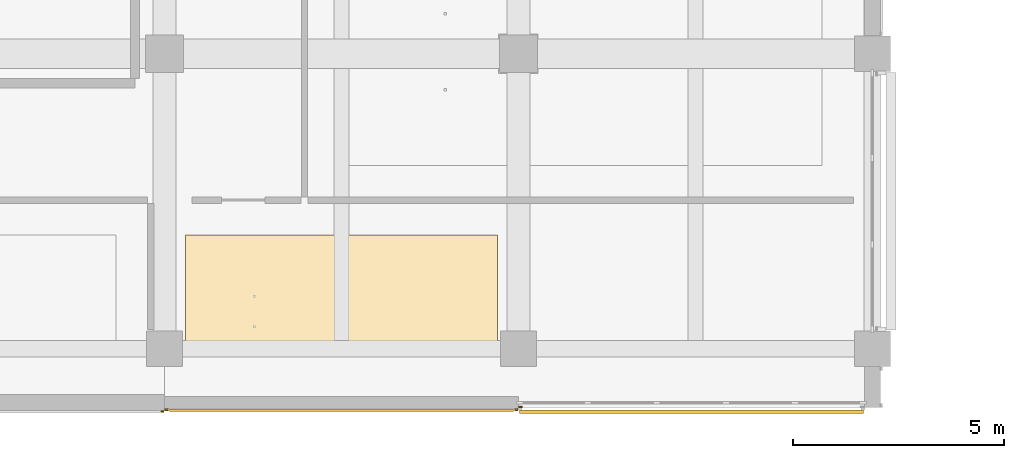
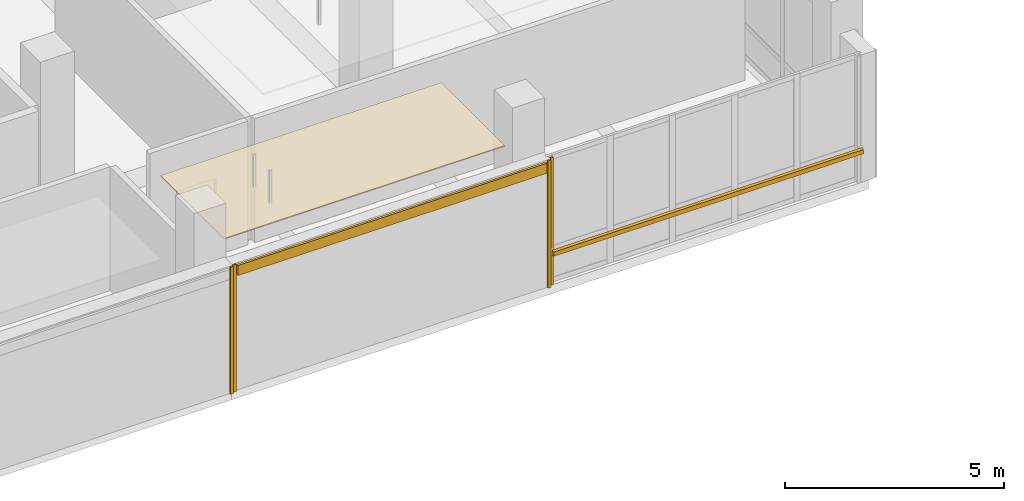
# One storey, part 36 of 39: 6 coverings, 1 shading device.
"""IFC4 building model written with IfcOpenShell, lengths in metres."""

from ifc_helpers import new_model, si_unit, direction, frame, origin, origin_2d, place, context, subcontext, project, spatial, polyline, rectangle, outline, extrude, material, layer, layer_set, type_object, element, save


model = new_model("IFC4")

# Units and contexts
model_context = context("Model", 3, precision=1e-05, world=origin(), true_north=direction((0.0, 1.0)))
body_context = subcontext(model_context, "Body", "Model", "MODEL_VIEW")
ifc_project = project(units=[si_unit("LENGTHUNIT", "METRE"), si_unit("AREAUNIT", "SQUARE_METRE"), si_unit("VOLUMEUNIT", "CUBIC_METRE"), si_unit("PLANEANGLEUNIT", "RADIAN"), si_unit("MASSUNIT", "GRAM", prefix="KILO")], contexts=[model_context])

# Site, building, storey
site_placement = place(None, origin())
site = spatial("IfcSite", under=ifc_project, at=site_placement, CompositionType="ELEMENT")
building_placement = place(site_placement, origin())
building = spatial("IfcBuilding", under=site, at=building_placement, Name="Telukmera Botanical Conservatory", CompositionType="ELEMENT")
storey_placement = place(building_placement, frame((0.0, 0.0, 19.5)))
storey = spatial("IfcBuildingStorey", under=building, at=storey_placement, Name="L04", CompositionType="ELEMENT", Elevation=19.5)

# Coverings
ifc_material_1 = material(Name="Mineral fibre acoustic ceiling")
ifc_layer_1 = layer(ifc_material_1, 0.030029296875)
ifc_layer_set_1 = layer_set([ifc_layer_1], Name="Mineral fibre acoustic ceiling")
covering_type_1 = type_object("IfcCoveringType", Name="COV-CEIL-30", PredefinedType="CEILING", material=ifc_layer_set_1)
covering_1_placement = place(storey_placement, frame((0.0, 0.0, 3.320068359375)))
element("IfcCovering", 1, at=covering_1_placement, inside=storey, type_object=covering_type_1, Name="L04 Botanical Taxonomy Studio Suspended Acoustic Ceiling", PredefinedType="CEILING", context=body_context, shape_type="SweptSolid", body=[
    extrude(outline(polyline([(92.89990234375, 10.39990234375), (100.304931640625, 10.39990234375), (100.304931640625, 13.300048828125), (92.89990234375, 13.300048828125), (92.89990234375, 10.39990234375)])), origin(), (0.0, 0.0, 1.0), 0.030029296875),
])
ifc_material_2 = material(Name="Granite-faced precast concrete C40/50", Category="masonry")
ifc_layer_2 = layer(ifc_material_2, 0.0400390625)
ifc_layer_set_2 = layer_set([ifc_layer_2], Name="Granite-faced precast concrete C40/50")
covering_type_2 = type_object("IfcCoveringType", Name="Granite Precast Column Pier Reveal Casing", PredefinedType="CLADDING", material=ifc_layer_set_2)
for number, where, z_axis, x_axis, name in (
    (2, (92.347900390625, 9.110107421875, 0.0), (0.0, 0.0, 1.0), (1.0, 0.0, 0.0), "Granite Pier Reveal V4:L04:S5 R"),
    (3, (92.451904296875, 9.14990234375, 0.0), (0.0, 0.0, 1.0), (1.0, 0.0, 0.0), "Granite Pier Reveal V4:L04:S6 L"),
    (4, (100.748046875, 9.14990234375, 0.0), (0.0, 0.0, 1.0), (1.0, 0.0, 0.0), "Granite Pier Reveal V4:L04:S6 R"),
    (5, (100.85205078125, 9.219970703125, 0.0), (0.0, 0.0, 1.0), (1.0, 0.0, 0.0), "Granite Pier Reveal V4:L04:S7 L"),
):
    element("IfcCovering", number, at=place(storey_placement, frame(where, z_axis=z_axis, x_axis=x_axis)), inside=storey, type_object=covering_type_2, Name=name, PredefinedType="CLADDING", context=body_context, shape_type="SweptSolid", body=[
        extrude(rectangle(XDim=0.080078125, YDim=0.0400390625, at=origin_2d()), origin(), (0.0, 0.0, 1.0), 3.550048828125),
    ])

# Shading device
ifc_material_3 = material(Name="Perforated terracotta-anodised aluminium 6063-T6", Category="masonry")
ifc_layer_3 = layer(ifc_material_3, 0.044921875)
ifc_layer_set_3 = layer_set([ifc_layer_3], Name="Perforated terracotta-anodised aluminium 6063-T6")
shading_device_type = type_object("IfcShadingDeviceType", Name="Perforated Terracotta Aluminium Monsoon Brise Soleil", PredefinedType="JALOUSIE", material=ifc_layer_set_3)
shading_device_placement = place(storey_placement, frame((104.905029296875, 9.10498046875, 0.889892578125), z_axis=(0.0, 0.0, 1.0), x_axis=(1.0, 0.0, 0.0)))
element("IfcShadingDevice", 6, at=shading_device_placement, inside=storey, type_object=shading_device_type, Name="Monsoon Shading BS01 V4:L04:S7", PredefinedType="JALOUSIE", context=body_context, shape_type="SweptSolid", body=[
    extrude(rectangle(XDim=8.166015625, YDim=0.090087890625, at=origin_2d()), origin(), (0.0, 0.0, 1.0), 0.1201171875),
])

# Covering
ifc_material_4 = material(Name="Terracotta-faced precast concrete C40/50", Category="masonry")
ifc_layer_4 = layer(ifc_material_4, 0.06005859375)
ifc_layer_set_4 = layer_set([ifc_layer_4], Name="Terracotta-faced precast concrete C40/50")
covering_type_3 = type_object("IfcCoveringType", Name="Polychrome Terracotta Facade Band Cladding", PredefinedType="CLADDING", material=ifc_layer_set_4)
covering_2_placement = place(storey_placement, frame((96.60009765625, 9.139892578125, 3.22998046875), z_axis=(0.0, 0.0, 1.0), x_axis=(1.0, 0.0, 0.0)))
element("IfcCovering", 7, at=covering_2_placement, inside=storey, type_object=covering_type_3, Name="Polychrome Terracotta Band V4:L04:S6", PredefinedType="CLADDING", context=body_context, shape_type="SweptSolid", body=[
    extrude(rectangle(XDim=8.156005859375, YDim=0.06005859375, at=origin_2d()), origin(), (0.0, 0.0, 1.0), 0.280029296875),
])

save(model, "model.ifc")
